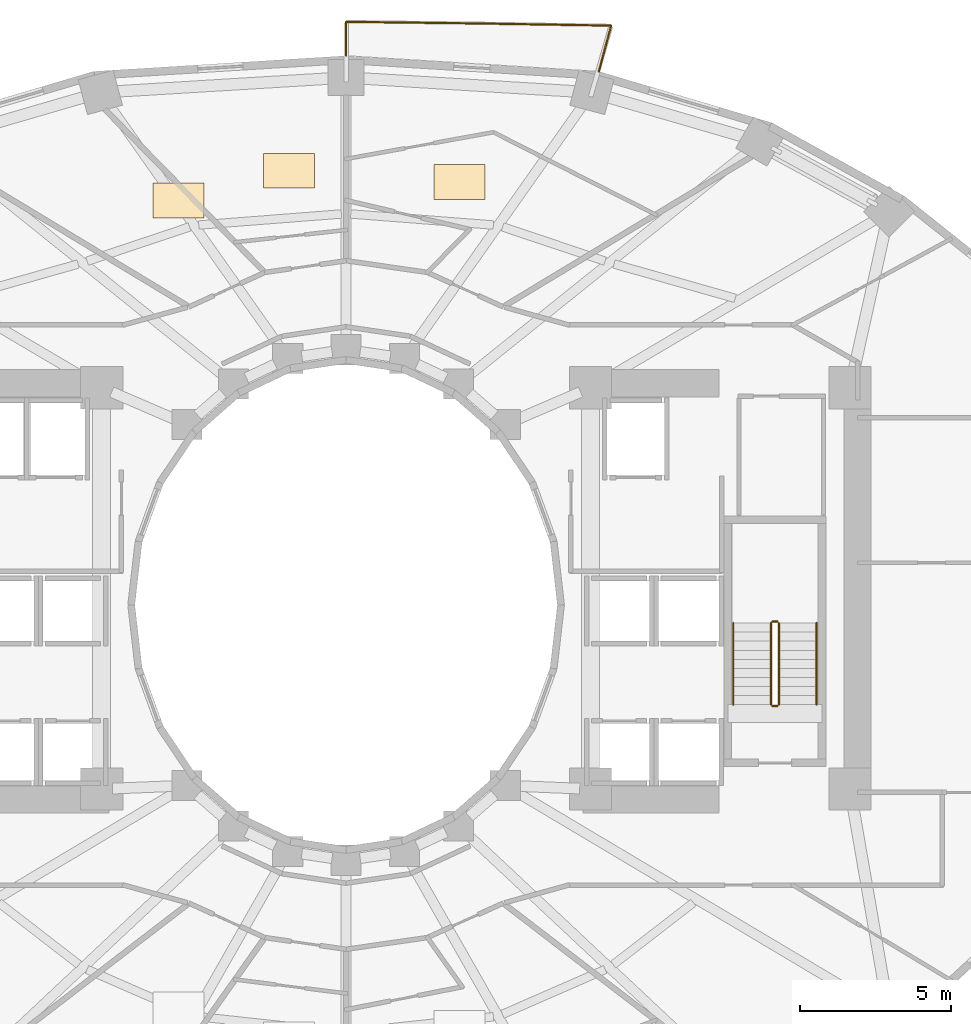
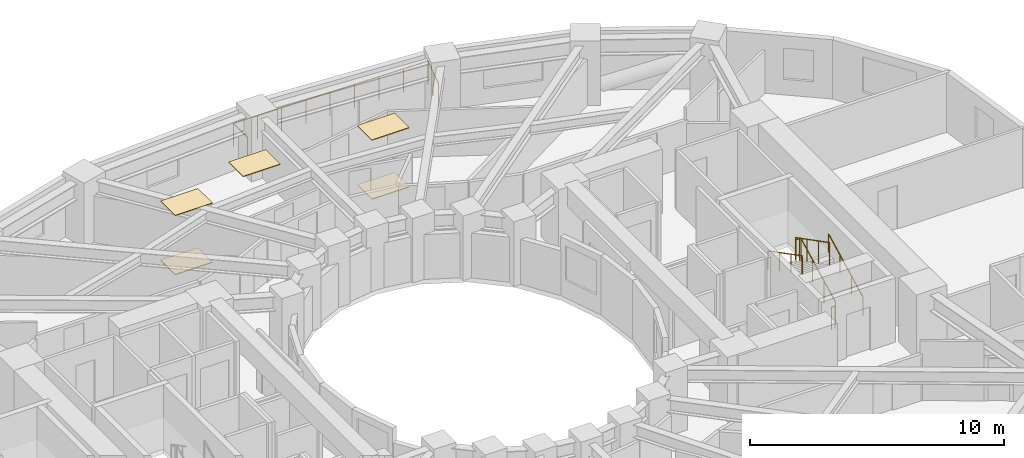
# One storey, part 10 of 10: 7 railings, 5 coverings.
"""IFC4 building model written with IfcOpenShell, lengths in metres."""

from ifc_helpers import new_model, si_unit, direction, frame, origin, origin_2d, place, context, subcontext, project, spatial, polyline, circle, outline, extrude, material, layer, layer_set, type_object, element, save


model = new_model("IFC4")

# Units and contexts
model_context = context("Model", 3, precision=1e-05, world=origin(), true_north=direction((0.0, 1.0)))
body_context = subcontext(model_context, "Body", "Model", "MODEL_VIEW")
ifc_project = project(units=[si_unit("LENGTHUNIT", "METRE"), si_unit("AREAUNIT", "SQUARE_METRE"), si_unit("VOLUMEUNIT", "CUBIC_METRE"), si_unit("PLANEANGLEUNIT", "RADIAN"), si_unit("MASSUNIT", "GRAM", prefix="KILO")], contexts=[model_context])

# Site, building, storey
site_placement = place(None, origin())
site = spatial("IfcSite", under=ifc_project, at=site_placement, CompositionType="ELEMENT")
building_placement = place(site_placement, origin())
building = spatial("IfcBuilding", under=site, at=building_placement, Name="Solvane Sanctuary Tower", CompositionType="ELEMENT")
storey_placement = place(building_placement, frame((0.0, 0.0, 58.60009765625)))
storey = spatial("IfcBuildingStorey", under=building, at=storey_placement, Name="L17", CompositionType="ELEMENT", Elevation=58.60009765625)

# Coverings
ifc_material_1 = material(Name="Acoustic Gypsum Partition Board")
ifc_layer_1 = layer(ifc_material_1, 0.02490234375, Name="Acoustic Gypsum Partition Board")
ifc_layer_set_1 = layer_set([ifc_layer_1], Name="Acoustic Gypsum Partition Board")
covering_type_1 = type_object("IfcCoveringType", Name="Covering CLG-ACOUST", PredefinedType="CEILING", material=ifc_layer_set_1)
covering_1_placement = place(storey_placement, frame((0.0, 0.0, 2.849853515625)))
element("IfcCovering", 1, at=covering_1_placement, inside=storey, type_object=covering_type_1, Name="L17 Unit Acoustic Ceiling Panel 1", PredefinedType="CEILING", context=body_context, shape_type="SweptSolid", body=[
    extrude(outline(polyline([(34.905029296875, 36.44091796875), (36.60498046875, 36.44091796875), (36.60498046875, 37.591064453125), (34.905029296875, 37.591064453125), (34.905029296875, 36.44091796875)])), origin(), (0.0, 0.0, 1.0), 0.030029296875),
])
covering_2_placement = place(storey_placement, frame((0.0, 0.0, 2.849853515625)))
element("IfcCovering", 2, at=covering_2_placement, inside=storey, type_object=covering_type_1, Name="L17 Unit Acoustic Ceiling Panel 2", PredefinedType="CEILING", context=body_context, shape_type="SweptSolid", body=[
    extrude(outline(polyline([(29.256103515625, 36.81103515625), (30.9560546875, 36.81103515625), (30.9560546875, 37.9609375), (29.256103515625, 37.9609375), (29.256103515625, 36.81103515625)])), origin(), (0.0, 0.0, 1.0), 0.030029296875),
])
covering_3_placement = place(storey_placement, frame((0.0, 0.0, 2.849853515625)))
element("IfcCovering", 3, at=covering_3_placement, inside=storey, type_object=covering_type_1, Name="L17 Unit Acoustic Ceiling Panel 3", PredefinedType="CEILING", context=body_context, shape_type="SweptSolid", body=[
    extrude(outline(polyline([(25.596923828125, 35.830078125), (27.297119140625, 35.830078125), (27.297119140625, 36.97998046875), (25.596923828125, 36.97998046875), (25.596923828125, 35.830078125)])), origin(), (0.0, 0.0, 1.0), 0.030029296875),
])
ifc_material_2 = material(Name="Ceramic Tile Finish")
ifc_layer_2 = layer(ifc_material_2, 0.030029296875, Name="Ceramic Tile Finish")
ifc_layer_set_2 = layer_set([ifc_layer_2], Name="Ceramic Tile Finish")
covering_type_2 = type_object("IfcCoveringType", Name="Covering FLR-TERRAZZO", PredefinedType="FLOORING", material=ifc_layer_set_2)
covering_4_placement = place(storey_placement, origin())
element("IfcCovering", 4, at=covering_4_placement, inside=storey, type_object=covering_type_2, Name="L17 Unit Terrazzo Inlay 1", PredefinedType="FLOORING", context=body_context, shape_type="SweptSolid", body=[
    extrude(outline(polyline([(34.905029296875, 36.44091796875), (36.60498046875, 36.44091796875), (36.60498046875, 37.591064453125), (34.905029296875, 37.591064453125), (34.905029296875, 36.44091796875)])), origin(), (0.0, 0.0, 1.0), 0.034912109375),
])
covering_5_placement = place(storey_placement, origin())
element("IfcCovering", 5, at=covering_5_placement, inside=storey, type_object=covering_type_2, Name="L17 Unit Terrazzo Inlay 3", PredefinedType="FLOORING", context=body_context, shape_type="SweptSolid", body=[
    extrude(outline(polyline([(25.596923828125, 35.830078125), (27.297119140625, 35.830078125), (27.297119140625, 36.97998046875), (25.596923828125, 36.97998046875), (25.596923828125, 35.830078125)])), origin(), (0.0, 0.0, 1.0), 0.034912109375),
])

# Railings
ifc_material_3 = material(Name="Architectural Stainless Steel 316", Category="steel")
railing_type_1 = type_object("IfcRailingType", Name="Railing GR-BALC-1150", PredefinedType="BALUSTRADE", material=ifc_material_3)
railing_1_placement = place(storey_placement, frame((40.376708984375, 40.6806640625, 0.0)))
element("IfcRailing", 6, at=railing_1_placement, inside=storey, type_object=railing_type_1, Name="L17 Wave Balcony Balustrade NC", PredefinedType="BALUSTRADE", context=body_context, shape_type="SweptSolid", body=[
    extrude(circle(Radius=0.02392578125, at=origin_2d()), frame((0.0, 0.0, 1.1259765625), z_axis=(0.258899009048, 0.965904396467, 0.0), x_axis=(-0.965904396467, 0.258899009048, 0.0)), (0.0, 0.0, 1.0), 1.572998046875),
    extrude(circle(Radius=0.02392578125, at=origin_2d()), frame((0.4072265625, 1.519287109375, 1.1259765625), z_axis=(-0.999868179873, 0.016236467544, 0.0), x_axis=(-0.016236467544, -0.999868179873, 0.0)), (0.0, 0.0, 1.0), 4.420654296875),
    extrude(circle(Radius=0.02392578125, at=origin_2d()), frame((-4.012939453125, 1.591064453125, 1.1259765625), z_axis=(-0.999924260486, 0.012307448658, 0.0), x_axis=(-0.012307448658, -0.999924260486, 0.0)), (0.0, 0.0, 1.0), 4.364013671875),
    extrude(circle(Radius=0.02392578125, at=origin_2d()), frame((-8.376708984375, 1.644775390625, 1.1259765625), z_axis=(0.0, -1.0, 0.0), x_axis=(1.0, 0.0, 0.0)), (0.0, 0.0, 1.0), 1.12548828125),
    extrude(circle(Radius=0.02099609375, at=origin_2d()), origin(), (0.0, 0.0, 1.0), 1.101806640625),
    extrude(circle(Radius=0.02099609375, at=origin_2d()), frame((0.20361328125, 0.759765625, 0.0)), (0.0, 0.0, 1.0), 1.101806640625),
    extrude(circle(Radius=0.02099609375, at=origin_2d()), frame((0.4072265625, 1.519287109375, 0.0)), (0.0, 0.0, 1.0), 1.101806640625),
    extrude(circle(Radius=0.02099609375, at=origin_2d()), frame((-0.69775390625, 1.537109375, 0.0)), (0.0, 0.0, 1.0), 1.101806640625),
    extrude(circle(Radius=0.02099609375, at=origin_2d()), frame((-1.802734375, 1.55517578125, 0.0)), (0.0, 0.0, 1.0), 1.101806640625),
    extrude(circle(Radius=0.02099609375, at=origin_2d()), frame((-2.907958984375, 1.5732421875, 0.0)), (0.0, 0.0, 1.0), 1.101806640625),
    extrude(circle(Radius=0.02099609375, at=origin_2d()), frame((-4.012939453125, 1.591064453125, 0.0)), (0.0, 0.0, 1.0), 1.101806640625),
    extrude(circle(Radius=0.02099609375, at=origin_2d()), frame((-5.10400390625, 1.6044921875, 0.0)), (0.0, 0.0, 1.0), 1.101806640625),
    extrude(circle(Radius=0.02099609375, at=origin_2d()), frame((-6.19482421875, 1.617919921875, 0.0)), (0.0, 0.0, 1.0), 1.101806640625),
    extrude(circle(Radius=0.02099609375, at=origin_2d()), frame((-7.28564453125, 1.63134765625, 0.0)), (0.0, 0.0, 1.0), 1.101806640625),
    extrude(circle(Radius=0.02099609375, at=origin_2d()), frame((-8.376708984375, 1.644775390625, 0.0)), (0.0, 0.0, 1.0), 1.101806640625),
    extrude(circle(Radius=0.02099609375, at=origin_2d()), frame((-8.376708984375, 0.519287109375, 0.0)), (0.0, 0.0, 1.0), 1.101806640625),
])
railing_2_placement = place(storey_placement, frame((46.340087890625, 19.699951171875, 0.15478515625)))
element("IfcRailing", 7, at=railing_2_placement, inside=storey, type_object=railing_type_1, Name="L17 ST-2 stair guard 1", PredefinedType="BALUSTRADE", context=body_context, shape_type="SweptSolid", body=[
    extrude(circle(Radius=0.02392578125, at=origin_2d()), frame((0.0, 0.0, 1.076171875), z_axis=(0.0, 0.888419900624, 0.459031676658), x_axis=(-1.0, 0.0, 0.0)), (0.0, 0.0, 1.0), 3.0390625),
    extrude(circle(Radius=0.02099609375, at=origin_2d()), origin(), (0.0, 0.0, 1.0), 1.052001953125),
    extrude(circle(Radius=0.02099609375, at=origin_2d()), frame((0.0, 0.89990234375, 0.465087890625)), (0.0, 0.0, 1.0), 1.052001953125),
    extrude(circle(Radius=0.02099609375, at=origin_2d()), frame((0.0, 1.800048828125, 0.929931640625)), (0.0, 0.0, 1.0), 1.052001953125),
    extrude(circle(Radius=0.02099609375, at=origin_2d()), frame((0.0, 2.699951171875, 1.39501953125)), (0.0, 0.0, 1.0), 1.052001953125),
])
railing_3_placement = place(storey_placement, frame((46.2900390625, 22.449951171875, 1.5498046875)))
element("IfcRailing", 8, at=railing_3_placement, inside=storey, type_object=railing_type_1, Name="L17 ST-2 stair guard 2", PredefinedType="BALUSTRADE", context=body_context, shape_type="SweptSolid", body=[
    extrude(circle(Radius=0.02392578125, at=origin_2d()), frame((0.0, 0.0, 1.076171875), z_axis=(-1.0, 0.0, 0.0), x_axis=(0.0, -1.0, 0.0)), (0.0, 0.0, 1.0), 0.16015625),
    extrude(circle(Radius=0.02099609375, at=origin_2d()), origin(), (0.0, 0.0, 1.0), 1.052001953125),
    extrude(circle(Radius=0.02099609375, at=origin_2d()), frame((-0.16015625, 0.0, 0.0)), (0.0, 0.0, 1.0), 1.052001953125),
])
railing_4_placement = place(storey_placement, frame((46.080078125, 22.39990234375, 1.704833984375)))
element("IfcRailing", 9, at=railing_4_placement, inside=storey, type_object=railing_type_1, Name="L17 ST-2 stair guard 3", PredefinedType="BALUSTRADE", context=body_context, shape_type="SweptSolid", body=[
    extrude(circle(Radius=0.02392578125, at=origin_2d()), frame((0.0, 0.0, 1.076171875), z_axis=(0.0, -0.888419900624, 0.459031676658), x_axis=(1.0, 0.0, 0.0)), (0.0, 0.0, 1.0), 3.0390625),
    extrude(circle(Radius=0.02099609375, at=origin_2d()), origin(), (0.0, 0.0, 1.0), 1.052001953125),
    extrude(circle(Radius=0.02099609375, at=origin_2d()), frame((0.0, -0.89990234375, 0.465087890625)), (0.0, 0.0, 1.0), 1.052001953125),
    extrude(circle(Radius=0.02099609375, at=origin_2d()), frame((0.0, -1.800048828125, 0.929931640625)), (0.0, 0.0, 1.0), 1.052001953125),
    extrude(circle(Radius=0.02099609375, at=origin_2d()), frame((0.0, -2.699951171875, 1.39501953125)), (0.0, 0.0, 1.0), 1.052001953125),
])
railing_5_placement = place(storey_placement, frame((46.2900390625, 19.64990234375, 0.0)))
element("IfcRailing", 10, at=railing_5_placement, inside=storey, type_object=railing_type_1, Name="L17 ST-2 stair guard 4", PredefinedType="BALUSTRADE", context=body_context, shape_type="SweptSolid", body=[
    extrude(circle(Radius=0.02392578125, at=origin_2d()), frame((0.0, 0.0, 1.076171875), z_axis=(-1.0, 0.0, 0.0), x_axis=(0.0, -1.0, 0.0)), (0.0, 0.0, 1.0), 0.16015625),
    extrude(circle(Radius=0.02099609375, at=origin_2d()), origin(), (0.0, 0.0, 1.0), 1.052001953125),
    extrude(circle(Radius=0.02099609375, at=origin_2d()), frame((-0.16015625, 0.0, 0.0)), (0.0, 0.0, 1.0), 1.052001953125),
])
railing_type_2 = type_object("IfcRailingType", Name="Railing HR-STAIR-920", PredefinedType="HANDRAIL", material=ifc_material_3)
railing_6_placement = place(storey_placement, frame((47.590087890625, 19.699951171875, 0.15478515625)))
element("IfcRailing", 11, at=railing_6_placement, inside=storey, type_object=railing_type_2, Name="L17 ST-2 stair handrail 1", PredefinedType="HANDRAIL", context=body_context, shape_type="SweptSolid", body=[
    extrude(circle(Radius=0.02392578125, at=origin_2d()), frame((0.0, 0.0, 0.8759765625), z_axis=(0.0, 0.888419900624, 0.459031676658), x_axis=(-1.0, 0.0, 0.0)), (0.0, 0.0, 1.0), 3.0390625),
    extrude(circle(Radius=0.02099609375, at=origin_2d()), origin(), (0.0, 0.0, 1.0), 0.851806640625),
    extrude(circle(Radius=0.02099609375, at=origin_2d()), frame((0.0, 0.89990234375, 0.465087890625)), (0.0, 0.0, 1.0), 0.851806640625),
    extrude(circle(Radius=0.02099609375, at=origin_2d()), frame((0.0, 1.800048828125, 0.929931640625)), (0.0, 0.0, 1.0), 0.851806640625),
    extrude(circle(Radius=0.02099609375, at=origin_2d()), frame((0.0, 2.699951171875, 1.39501953125)), (0.0, 0.0, 1.0), 0.851806640625),
])
railing_7_placement = place(storey_placement, frame((44.830078125, 22.39990234375, 1.704833984375)))
element("IfcRailing", 12, at=railing_7_placement, inside=storey, type_object=railing_type_2, Name="L17 ST-2 stair handrail 2", PredefinedType="HANDRAIL", context=body_context, shape_type="SweptSolid", body=[
    extrude(circle(Radius=0.02392578125, at=origin_2d()), frame((0.0, 0.0, 0.8759765625), z_axis=(0.0, -0.888419900624, 0.459031676658), x_axis=(1.0, 0.0, 0.0)), (0.0, 0.0, 1.0), 3.0390625),
    extrude(circle(Radius=0.02099609375, at=origin_2d()), origin(), (0.0, 0.0, 1.0), 0.851806640625),
    extrude(circle(Radius=0.02099609375, at=origin_2d()), frame((0.0, -0.89990234375, 0.465087890625)), (0.0, 0.0, 1.0), 0.851806640625),
    extrude(circle(Radius=0.02099609375, at=origin_2d()), frame((0.0, -1.800048828125, 0.929931640625)), (0.0, 0.0, 1.0), 0.851806640625),
    extrude(circle(Radius=0.02099609375, at=origin_2d()), frame((0.0, -2.699951171875, 1.39501953125)), (0.0, 0.0, 1.0), 0.851806640625),
])

save(model, "model.ifc")
